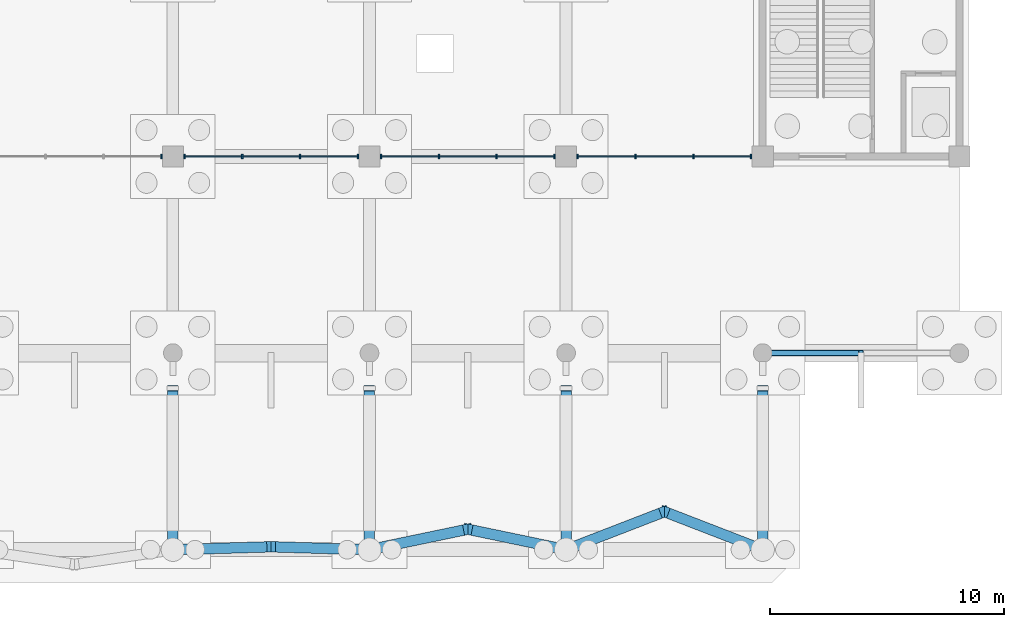
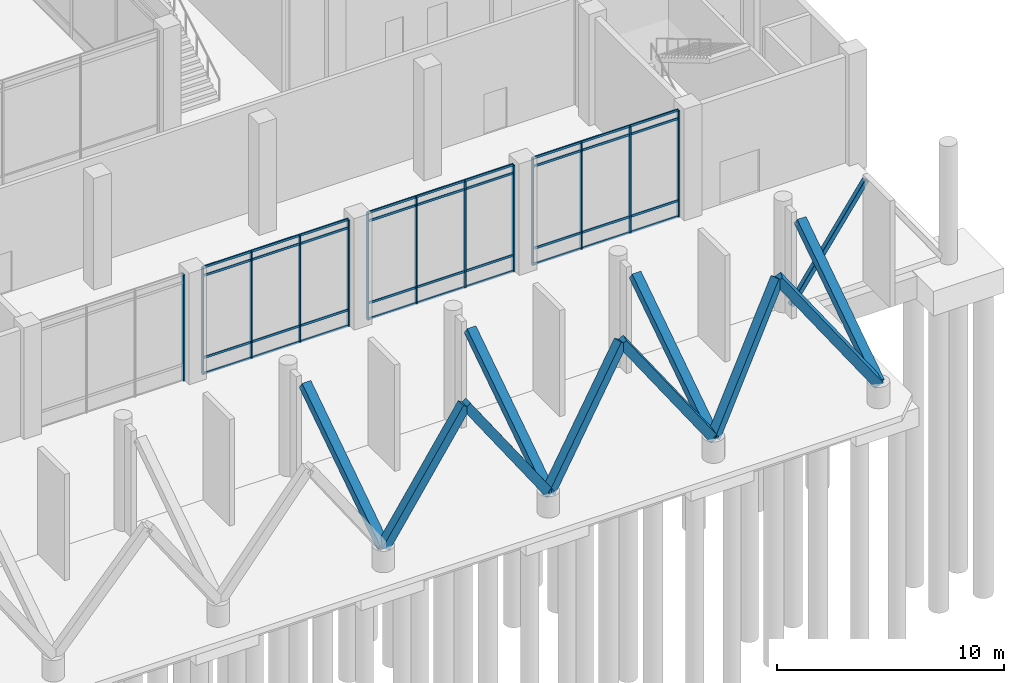
# One storey, part 29 of 72: 60 members, 4 elements without a shape of their own.
"""IFC4 building model written with IfcOpenShell, lengths in metres."""

from ifc_helpers import new_model, si_unit, direction, frame, origin, origin_2d, place, context, subcontext, project, spatial, rectangle, hollow_rectangle, extrude, material, layer, layer_set, material_profile, profile_set, type_object, element, aggregate, save


model = new_model("IFC4")

# Units and contexts
model_context = context("Model", 3, precision=1e-05, world=origin(), true_north=direction((0.0, 1.0)))
body_context = subcontext(model_context, "Body", "Model", "MODEL_VIEW")
ifc_project = project(units=[si_unit("LENGTHUNIT", "METRE"), si_unit("AREAUNIT", "SQUARE_METRE"), si_unit("VOLUMEUNIT", "CUBIC_METRE"), si_unit("PLANEANGLEUNIT", "RADIAN"), si_unit("MASSUNIT", "GRAM", prefix="KILO")], contexts=[model_context])

# Site, building, storey
site_placement = place(None, origin())
site = spatial("IfcSite", under=ifc_project, at=site_placement, CompositionType="ELEMENT")
building_placement = place(site_placement, origin())
building = spatial("IfcBuilding", under=site, at=building_placement, Name="Qawsi Khor Wholesale Market", CompositionType="ELEMENT")
storey_placement = place(building_placement, origin())
storey = spatial("IfcBuildingStorey", under=building, at=storey_placement, Name="L00", CompositionType="ELEMENT", Elevation=0.0)

# Curtain wall, member
ifc_material_1 = material(Name="Aluminium Anodised Bronze", Category="aluminium")
ifc_layer = layer(ifc_material_1, 0.159912109375, Name="Aluminium Anodised Bronze")
ifc_layer_set = layer_set([ifc_layer], Name="Aluminium Anodised Bronze")
curtain_wall_type = type_object("IfcCurtainWallType", Name="Boulevard Arcade Glazed Curtain Wall CW-01", PredefinedType="NOTDEFINED", material=ifc_layer_set)
curtain_wall_1_placement = place(storey_placement, origin())
curtain_wall_1 = element("IfcCurtainWall", 1, at=curtain_wall_1_placement, inside=storey, type_object=curtain_wall_type, Name="Curtain wall CW-CW-01-L00-007", PredefinedType="NOTDEFINED")
ifc_material_profile_1 = material_profile(ifc_material_1, rectangle(XDim=0.06494140625, YDim=0.179931640625, at=origin_2d()), Name="ALU MULLION 65x180")
ifc_profile_set_1 = profile_set([ifc_material_profile_1], Name="Aluminium Anodised Bronze")
member_type_1 = type_object("IfcMemberType", Name="Curtain Wall Mullion CW-01 ALU MULLION 65x180", PredefinedType="MULLION", material=ifc_profile_set_1)
member_1_placement = place(storey_placement, frame((159.107421875, 8.39990234375, -0.02001953125), z_axis=(0.0, 0.0, 1.0), x_axis=(1.0, 0.0, 0.0)))
member_1 = element("IfcMember", 2, at=member_1_placement, type_object=member_type_1, Name="Mullion CW-CW-01-L00-007-M03", PredefinedType="MULLION", context=body_context, shape_type="SweptSolid", body=[
    extrude(rectangle(XDim=0.06494140625, YDim=0.179931640625, at=origin_2d()), origin(), (0.0, 0.0, 1.0), 5.739990234375),
])
aggregate(curtain_wall_1, [member_1])

# Curtain wall, members
curtain_wall_2_placement = place(storey_placement, origin())
curtain_wall_2 = element("IfcCurtainWall", 3, at=curtain_wall_2_placement, inside=storey, type_object=curtain_wall_type, Name="Curtain wall CW-CW-01-L00-008", PredefinedType="NOTDEFINED")
member_2_placement = place(storey_placement, frame((160.092529296875, 8.39990234375, -0.02001953125), z_axis=(0.0, 0.0, 1.0), x_axis=(1.0, 0.0, 0.0)))
member_2 = element("IfcMember", 4, at=member_2_placement, type_object=member_type_1, Name="Mullion CW-CW-01-L00-008-M00", PredefinedType="MULLION", context=body_context, shape_type="SweptSolid", body=[
    extrude(rectangle(XDim=0.06494140625, YDim=0.179931640625, at=origin_2d()), origin(), (0.0, 0.0, 1.0), 5.739990234375),
])
member_3_placement = place(storey_placement, frame((162.564208984375, 8.39990234375, -0.02001953125), z_axis=(0.0, 0.0, 1.0), x_axis=(1.0, 0.0, 0.0)))
member_3 = element("IfcMember", 5, at=member_3_placement, type_object=member_type_1, Name="Mullion CW-CW-01-L00-008-M01", PredefinedType="MULLION", context=body_context, shape_type="SweptSolid", body=[
    extrude(rectangle(XDim=0.06494140625, YDim=0.179931640625, at=origin_2d()), origin(), (0.0, 0.0, 1.0), 5.739990234375),
])
member_4_placement = place(storey_placement, frame((165.035888671875, 8.39990234375, -0.02001953125), z_axis=(0.0, 0.0, 1.0), x_axis=(1.0, 0.0, 0.0)))
member_4 = element("IfcMember", 6, at=member_4_placement, type_object=member_type_1, Name="Mullion CW-CW-01-L00-008-M02", PredefinedType="MULLION", context=body_context, shape_type="SweptSolid", body=[
    extrude(rectangle(XDim=0.06494140625, YDim=0.179931640625, at=origin_2d()), origin(), (0.0, 0.0, 1.0), 5.739990234375),
])
member_5_placement = place(storey_placement, frame((167.507568359375, 8.39990234375, -0.02001953125), z_axis=(0.0, 0.0, 1.0), x_axis=(1.0, 0.0, 0.0)))
member_5 = element("IfcMember", 7, at=member_5_placement, type_object=member_type_1, Name="Mullion CW-CW-01-L00-008-M03", PredefinedType="MULLION", context=body_context, shape_type="SweptSolid", body=[
    extrude(rectangle(XDim=0.06494140625, YDim=0.179931640625, at=origin_2d()), origin(), (0.0, 0.0, 1.0), 5.739990234375),
])

curtain_wall_3_placement = place(storey_placement, origin())
curtain_wall_3 = element("IfcCurtainWall", 8, at=curtain_wall_3_placement, inside=storey, type_object=curtain_wall_type, Name="Curtain wall CW-CW-01-L00-009", PredefinedType="NOTDEFINED")
member_6_placement = place(storey_placement, frame((168.492431640625, 8.39990234375, -0.02001953125), z_axis=(0.0, 0.0, 1.0), x_axis=(1.0, 0.0, 0.0)))
member_6 = element("IfcMember", 9, at=member_6_placement, type_object=member_type_1, Name="Mullion CW-CW-01-L00-009-M00", PredefinedType="MULLION", context=body_context, shape_type="SweptSolid", body=[
    extrude(rectangle(XDim=0.06494140625, YDim=0.179931640625, at=origin_2d()), origin(), (0.0, 0.0, 1.0), 5.739990234375),
])
member_7_placement = place(storey_placement, frame((170.964111328125, 8.39990234375, -0.02001953125), z_axis=(0.0, 0.0, 1.0), x_axis=(1.0, 0.0, 0.0)))
member_7 = element("IfcMember", 10, at=member_7_placement, type_object=member_type_1, Name="Mullion CW-CW-01-L00-009-M01", PredefinedType="MULLION", context=body_context, shape_type="SweptSolid", body=[
    extrude(rectangle(XDim=0.06494140625, YDim=0.179931640625, at=origin_2d()), origin(), (0.0, 0.0, 1.0), 5.739990234375),
])
member_8_placement = place(storey_placement, frame((173.435791015625, 8.39990234375, -0.02001953125), z_axis=(0.0, 0.0, 1.0), x_axis=(1.0, 0.0, 0.0)))
member_8 = element("IfcMember", 11, at=member_8_placement, type_object=member_type_1, Name="Mullion CW-CW-01-L00-009-M02", PredefinedType="MULLION", context=body_context, shape_type="SweptSolid", body=[
    extrude(rectangle(XDim=0.06494140625, YDim=0.179931640625, at=origin_2d()), origin(), (0.0, 0.0, 1.0), 5.739990234375),
])
member_9_placement = place(storey_placement, frame((175.907470703125, 8.39990234375, -0.02001953125), z_axis=(0.0, 0.0, 1.0), x_axis=(1.0, 0.0, 0.0)))
member_9 = element("IfcMember", 12, at=member_9_placement, type_object=member_type_1, Name="Mullion CW-CW-01-L00-009-M03", PredefinedType="MULLION", context=body_context, shape_type="SweptSolid", body=[
    extrude(rectangle(XDim=0.06494140625, YDim=0.179931640625, at=origin_2d()), origin(), (0.0, 0.0, 1.0), 5.739990234375),
])

curtain_wall_4_placement = place(storey_placement, origin())
curtain_wall_4 = element("IfcCurtainWall", 13, at=curtain_wall_4_placement, inside=storey, type_object=curtain_wall_type, Name="Curtain wall CW-CW-01-L00-010", PredefinedType="NOTDEFINED")
member_10_placement = place(storey_placement, frame((176.892578125, 8.39990234375, -0.02001953125), z_axis=(0.0, 0.0, 1.0), x_axis=(1.0, 0.0, 0.0)))
member_10 = element("IfcMember", 14, at=member_10_placement, type_object=member_type_1, Name="Mullion CW-CW-01-L00-010-M00", PredefinedType="MULLION", context=body_context, shape_type="SweptSolid", body=[
    extrude(rectangle(XDim=0.06494140625, YDim=0.179931640625, at=origin_2d()), origin(), (0.0, 0.0, 1.0), 5.739990234375),
])
member_11_placement = place(storey_placement, frame((179.3642578125, 8.39990234375, -0.02001953125), z_axis=(0.0, 0.0, 1.0), x_axis=(1.0, 0.0, 0.0)))
member_11 = element("IfcMember", 15, at=member_11_placement, type_object=member_type_1, Name="Mullion CW-CW-01-L00-010-M01", PredefinedType="MULLION", context=body_context, shape_type="SweptSolid", body=[
    extrude(rectangle(XDim=0.06494140625, YDim=0.179931640625, at=origin_2d()), origin(), (0.0, 0.0, 1.0), 5.739990234375),
])
member_12_placement = place(storey_placement, frame((181.835693359375, 8.39990234375, -0.02001953125), z_axis=(0.0, 0.0, 1.0), x_axis=(1.0, 0.0, 0.0)))
member_12 = element("IfcMember", 16, at=member_12_placement, type_object=member_type_1, Name="Mullion CW-CW-01-L00-010-M02", PredefinedType="MULLION", context=body_context, shape_type="SweptSolid", body=[
    extrude(rectangle(XDim=0.06494140625, YDim=0.179931640625, at=origin_2d()), origin(), (0.0, 0.0, 1.0), 5.739990234375),
])
member_13_placement = place(storey_placement, frame((184.3076171875, 8.39990234375, -0.02001953125), z_axis=(0.0, 0.0, 1.0), x_axis=(1.0, 0.0, 0.0)))
member_13 = element("IfcMember", 17, at=member_13_placement, type_object=member_type_1, Name="Mullion CW-CW-01-L00-010-M03", PredefinedType="MULLION", context=body_context, shape_type="SweptSolid", body=[
    extrude(rectangle(XDim=0.06494140625, YDim=0.179931640625, at=origin_2d()), origin(), (0.0, 0.0, 1.0), 5.739990234375),
])

# Member
ifc_material_profile_2 = material_profile(ifc_material_1, rectangle(XDim=0.06005859375, YDim=0.1201171875, at=origin_2d()), Name="ALU TRANSOM 60x120")
ifc_profile_set_2 = profile_set([ifc_material_profile_2], Name="Aluminium Anodised Bronze")
member_type_2 = type_object("IfcMemberType", Name="Curtain Wall Transom CW-01 ALU TRANSOM 60x120", PredefinedType="USERDEFINED", material=ifc_profile_set_2)
member_14_placement = place(storey_placement, frame((160.092529296875, 8.39990234375, 0.0), z_axis=(1.0, 0.0, 0.0), x_axis=(0.0, 1.0, 0.0)))
member_14 = element("IfcMember", 18, at=member_14_placement, type_object=member_type_2, Name="Transom CW-CW-01-L00-008-T0_00", ObjectType="TRANSOM", PredefinedType="USERDEFINED", context=body_context, shape_type="SweptSolid", body=[
    extrude(rectangle(XDim=0.06005859375, YDim=0.1201171875, at=origin_2d()), origin(), (0.0, 0.0, 1.0), 2.4716796875),
])

member_15_placement = place(storey_placement, frame((162.564208984375, 8.39990234375, 0.0), z_axis=(1.0, 0.0, 0.0), x_axis=(0.0, 1.0, 0.0)))
member_15 = element("IfcMember", 19, at=member_15_placement, type_object=member_type_2, Name="Transom CW-CW-01-L00-008-T0_01", ObjectType="TRANSOM", PredefinedType="USERDEFINED", context=body_context, shape_type="SweptSolid", body=[
    extrude(rectangle(XDim=0.06005859375, YDim=0.1201171875, at=origin_2d()), origin(), (0.0, 0.0, 1.0), 2.4716796875),
])

member_16_placement = place(storey_placement, frame((165.035888671875, 8.39990234375, 0.0), z_axis=(1.0, 0.0, 0.0), x_axis=(0.0, 1.0, 0.0)))
member_16 = element("IfcMember", 20, at=member_16_placement, type_object=member_type_2, Name="Transom CW-CW-01-L00-008-T0_02", ObjectType="TRANSOM", PredefinedType="USERDEFINED", context=body_context, shape_type="SweptSolid", body=[
    extrude(rectangle(XDim=0.06005859375, YDim=0.1201171875, at=origin_2d()), origin(), (0.0, 0.0, 1.0), 2.4716796875),
])

member_17_placement = place(storey_placement, frame((160.092529296875, 8.39990234375, 0.85009765625), z_axis=(1.0, 0.0, 0.0), x_axis=(0.0, 1.0, 0.0)))
member_17 = element("IfcMember", 21, at=member_17_placement, type_object=member_type_2, Name="Transom CW-CW-01-L00-008-T1_00", ObjectType="TRANSOM", PredefinedType="USERDEFINED", context=body_context, shape_type="SweptSolid", body=[
    extrude(rectangle(XDim=0.06005859375, YDim=0.1201171875, at=origin_2d()), origin(), (0.0, 0.0, 1.0), 2.4716796875),
])

member_18_placement = place(storey_placement, frame((162.564208984375, 8.39990234375, 0.85009765625), z_axis=(1.0, 0.0, 0.0), x_axis=(0.0, 1.0, 0.0)))
member_18 = element("IfcMember", 22, at=member_18_placement, type_object=member_type_2, Name="Transom CW-CW-01-L00-008-T1_01", ObjectType="TRANSOM", PredefinedType="USERDEFINED", context=body_context, shape_type="SweptSolid", body=[
    extrude(rectangle(XDim=0.06005859375, YDim=0.1201171875, at=origin_2d()), origin(), (0.0, 0.0, 1.0), 2.4716796875),
])

member_19_placement = place(storey_placement, frame((165.035888671875, 8.39990234375, 0.85009765625), z_axis=(1.0, 0.0, 0.0), x_axis=(0.0, 1.0, 0.0)))
member_19 = element("IfcMember", 23, at=member_19_placement, type_object=member_type_2, Name="Transom CW-CW-01-L00-008-T1_02", ObjectType="TRANSOM", PredefinedType="USERDEFINED", context=body_context, shape_type="SweptSolid", body=[
    extrude(rectangle(XDim=0.06005859375, YDim=0.1201171875, at=origin_2d()), origin(), (0.0, 0.0, 1.0), 2.4716796875),
])

member_20_placement = place(storey_placement, frame((160.092529296875, 8.39990234375, 5.27001953125), z_axis=(1.0, 0.0, 0.0), x_axis=(0.0, 1.0, 0.0)))
member_20 = element("IfcMember", 24, at=member_20_placement, type_object=member_type_2, Name="Transom CW-CW-01-L00-008-T2_00", ObjectType="TRANSOM", PredefinedType="USERDEFINED", context=body_context, shape_type="SweptSolid", body=[
    extrude(rectangle(XDim=0.06005859375, YDim=0.1201171875, at=origin_2d()), origin(), (0.0, 0.0, 1.0), 2.4716796875),
])

member_21_placement = place(storey_placement, frame((162.564208984375, 8.39990234375, 5.27001953125), z_axis=(1.0, 0.0, 0.0), x_axis=(0.0, 1.0, 0.0)))
member_21 = element("IfcMember", 25, at=member_21_placement, type_object=member_type_2, Name="Transom CW-CW-01-L00-008-T2_01", ObjectType="TRANSOM", PredefinedType="USERDEFINED", context=body_context, shape_type="SweptSolid", body=[
    extrude(rectangle(XDim=0.06005859375, YDim=0.1201171875, at=origin_2d()), origin(), (0.0, 0.0, 1.0), 2.4716796875),
])

member_22_placement = place(storey_placement, frame((165.035888671875, 8.39990234375, 5.27001953125), z_axis=(1.0, 0.0, 0.0), x_axis=(0.0, 1.0, 0.0)))
member_22 = element("IfcMember", 26, at=member_22_placement, type_object=member_type_2, Name="Transom CW-CW-01-L00-008-T2_02", ObjectType="TRANSOM", PredefinedType="USERDEFINED", context=body_context, shape_type="SweptSolid", body=[
    extrude(rectangle(XDim=0.06005859375, YDim=0.1201171875, at=origin_2d()), origin(), (0.0, 0.0, 1.0), 2.4716796875),
])

member_23_placement = place(storey_placement, frame((160.092529296875, 8.39990234375, 5.719970703125), z_axis=(1.0, 0.0, 0.0), x_axis=(0.0, 1.0, 0.0)))
member_23 = element("IfcMember", 27, at=member_23_placement, type_object=member_type_2, Name="Transom CW-CW-01-L00-008-T3_00", ObjectType="TRANSOM", PredefinedType="USERDEFINED", context=body_context, shape_type="SweptSolid", body=[
    extrude(rectangle(XDim=0.06005859375, YDim=0.1201171875, at=origin_2d()), origin(), (0.0, 0.0, 1.0), 2.4716796875),
])

member_24_placement = place(storey_placement, frame((162.564208984375, 8.39990234375, 5.719970703125), z_axis=(1.0, 0.0, 0.0), x_axis=(0.0, 1.0, 0.0)))
member_24 = element("IfcMember", 28, at=member_24_placement, type_object=member_type_2, Name="Transom CW-CW-01-L00-008-T3_01", ObjectType="TRANSOM", PredefinedType="USERDEFINED", context=body_context, shape_type="SweptSolid", body=[
    extrude(rectangle(XDim=0.06005859375, YDim=0.1201171875, at=origin_2d()), origin(), (0.0, 0.0, 1.0), 2.4716796875),
])

member_25_placement = place(storey_placement, frame((165.035888671875, 8.39990234375, 5.719970703125), z_axis=(1.0, 0.0, 0.0), x_axis=(0.0, 1.0, 0.0)))
member_25 = element("IfcMember", 29, at=member_25_placement, type_object=member_type_2, Name="Transom CW-CW-01-L00-008-T3_02", ObjectType="TRANSOM", PredefinedType="USERDEFINED", context=body_context, shape_type="SweptSolid", body=[
    extrude(rectangle(XDim=0.06005859375, YDim=0.1201171875, at=origin_2d()), origin(), (0.0, 0.0, 1.0), 2.4716796875),
])

aggregate(curtain_wall_2, [member_2, member_3, member_4, member_5, member_14, member_15, member_16, member_17, member_18, member_19, member_20, member_21, member_22, member_23, member_24, member_25])

member_26_placement = place(storey_placement, frame((168.492431640625, 8.39990234375, 0.0), z_axis=(1.0, 0.0, 0.0), x_axis=(0.0, 1.0, 0.0)))
member_26 = element("IfcMember", 30, at=member_26_placement, type_object=member_type_2, Name="Transom CW-CW-01-L00-009-T0_00", ObjectType="TRANSOM", PredefinedType="USERDEFINED", context=body_context, shape_type="SweptSolid", body=[
    extrude(rectangle(XDim=0.06005859375, YDim=0.1201171875, at=origin_2d()), origin(), (0.0, 0.0, 1.0), 2.4716796875),
])

member_27_placement = place(storey_placement, frame((170.964111328125, 8.39990234375, 0.0), z_axis=(1.0, 0.0, 0.0), x_axis=(0.0, 1.0, 0.0)))
member_27 = element("IfcMember", 31, at=member_27_placement, type_object=member_type_2, Name="Transom CW-CW-01-L00-009-T0_01", ObjectType="TRANSOM", PredefinedType="USERDEFINED", context=body_context, shape_type="SweptSolid", body=[
    extrude(rectangle(XDim=0.06005859375, YDim=0.1201171875, at=origin_2d()), origin(), (0.0, 0.0, 1.0), 2.4716796875),
])

member_28_placement = place(storey_placement, frame((173.435791015625, 8.39990234375, 0.0), z_axis=(1.0, 0.0, 0.0), x_axis=(0.0, 1.0, 0.0)))
member_28 = element("IfcMember", 32, at=member_28_placement, type_object=member_type_2, Name="Transom CW-CW-01-L00-009-T0_02", ObjectType="TRANSOM", PredefinedType="USERDEFINED", context=body_context, shape_type="SweptSolid", body=[
    extrude(rectangle(XDim=0.06005859375, YDim=0.1201171875, at=origin_2d()), origin(), (0.0, 0.0, 1.0), 2.4716796875),
])

member_29_placement = place(storey_placement, frame((168.492431640625, 8.39990234375, 0.85009765625), z_axis=(1.0, 0.0, 0.0), x_axis=(0.0, 1.0, 0.0)))
member_29 = element("IfcMember", 33, at=member_29_placement, type_object=member_type_2, Name="Transom CW-CW-01-L00-009-T1_00", ObjectType="TRANSOM", PredefinedType="USERDEFINED", context=body_context, shape_type="SweptSolid", body=[
    extrude(rectangle(XDim=0.06005859375, YDim=0.1201171875, at=origin_2d()), origin(), (0.0, 0.0, 1.0), 2.4716796875),
])

member_30_placement = place(storey_placement, frame((170.964111328125, 8.39990234375, 0.85009765625), z_axis=(1.0, 0.0, 0.0), x_axis=(0.0, 1.0, 0.0)))
member_30 = element("IfcMember", 34, at=member_30_placement, type_object=member_type_2, Name="Transom CW-CW-01-L00-009-T1_01", ObjectType="TRANSOM", PredefinedType="USERDEFINED", context=body_context, shape_type="SweptSolid", body=[
    extrude(rectangle(XDim=0.06005859375, YDim=0.1201171875, at=origin_2d()), origin(), (0.0, 0.0, 1.0), 2.4716796875),
])

member_31_placement = place(storey_placement, frame((173.435791015625, 8.39990234375, 0.85009765625), z_axis=(1.0, 0.0, 0.0), x_axis=(0.0, 1.0, 0.0)))
member_31 = element("IfcMember", 35, at=member_31_placement, type_object=member_type_2, Name="Transom CW-CW-01-L00-009-T1_02", ObjectType="TRANSOM", PredefinedType="USERDEFINED", context=body_context, shape_type="SweptSolid", body=[
    extrude(rectangle(XDim=0.06005859375, YDim=0.1201171875, at=origin_2d()), origin(), (0.0, 0.0, 1.0), 2.4716796875),
])

member_32_placement = place(storey_placement, frame((168.492431640625, 8.39990234375, 5.27001953125), z_axis=(1.0, 0.0, 0.0), x_axis=(0.0, 1.0, 0.0)))
member_32 = element("IfcMember", 36, at=member_32_placement, type_object=member_type_2, Name="Transom CW-CW-01-L00-009-T2_00", ObjectType="TRANSOM", PredefinedType="USERDEFINED", context=body_context, shape_type="SweptSolid", body=[
    extrude(rectangle(XDim=0.06005859375, YDim=0.1201171875, at=origin_2d()), origin(), (0.0, 0.0, 1.0), 2.4716796875),
])

member_33_placement = place(storey_placement, frame((170.964111328125, 8.39990234375, 5.27001953125), z_axis=(1.0, 0.0, 0.0), x_axis=(0.0, 1.0, 0.0)))
member_33 = element("IfcMember", 37, at=member_33_placement, type_object=member_type_2, Name="Transom CW-CW-01-L00-009-T2_01", ObjectType="TRANSOM", PredefinedType="USERDEFINED", context=body_context, shape_type="SweptSolid", body=[
    extrude(rectangle(XDim=0.06005859375, YDim=0.1201171875, at=origin_2d()), origin(), (0.0, 0.0, 1.0), 2.4716796875),
])

member_34_placement = place(storey_placement, frame((173.435791015625, 8.39990234375, 5.27001953125), z_axis=(1.0, 0.0, 0.0), x_axis=(0.0, 1.0, 0.0)))
member_34 = element("IfcMember", 38, at=member_34_placement, type_object=member_type_2, Name="Transom CW-CW-01-L00-009-T2_02", ObjectType="TRANSOM", PredefinedType="USERDEFINED", context=body_context, shape_type="SweptSolid", body=[
    extrude(rectangle(XDim=0.06005859375, YDim=0.1201171875, at=origin_2d()), origin(), (0.0, 0.0, 1.0), 2.4716796875),
])

member_35_placement = place(storey_placement, frame((168.492431640625, 8.39990234375, 5.719970703125), z_axis=(1.0, 0.0, 0.0), x_axis=(0.0, 1.0, 0.0)))
member_35 = element("IfcMember", 39, at=member_35_placement, type_object=member_type_2, Name="Transom CW-CW-01-L00-009-T3_00", ObjectType="TRANSOM", PredefinedType="USERDEFINED", context=body_context, shape_type="SweptSolid", body=[
    extrude(rectangle(XDim=0.06005859375, YDim=0.1201171875, at=origin_2d()), origin(), (0.0, 0.0, 1.0), 2.4716796875),
])

member_36_placement = place(storey_placement, frame((170.964111328125, 8.39990234375, 5.719970703125), z_axis=(1.0, 0.0, 0.0), x_axis=(0.0, 1.0, 0.0)))
member_36 = element("IfcMember", 40, at=member_36_placement, type_object=member_type_2, Name="Transom CW-CW-01-L00-009-T3_01", ObjectType="TRANSOM", PredefinedType="USERDEFINED", context=body_context, shape_type="SweptSolid", body=[
    extrude(rectangle(XDim=0.06005859375, YDim=0.1201171875, at=origin_2d()), origin(), (0.0, 0.0, 1.0), 2.4716796875),
])

member_37_placement = place(storey_placement, frame((173.435791015625, 8.39990234375, 5.719970703125), z_axis=(1.0, 0.0, 0.0), x_axis=(0.0, 1.0, 0.0)))
member_37 = element("IfcMember", 41, at=member_37_placement, type_object=member_type_2, Name="Transom CW-CW-01-L00-009-T3_02", ObjectType="TRANSOM", PredefinedType="USERDEFINED", context=body_context, shape_type="SweptSolid", body=[
    extrude(rectangle(XDim=0.06005859375, YDim=0.1201171875, at=origin_2d()), origin(), (0.0, 0.0, 1.0), 2.4716796875),
])

aggregate(curtain_wall_3, [member_6, member_7, member_8, member_9, member_26, member_27, member_28, member_29, member_30, member_31, member_32, member_33, member_34, member_35, member_36, member_37])

member_38_placement = place(storey_placement, frame((176.892578125, 8.39990234375, 0.0), z_axis=(1.0, 0.0, 0.0), x_axis=(0.0, 1.0, 0.0)))
member_38 = element("IfcMember", 42, at=member_38_placement, type_object=member_type_2, Name="Transom CW-CW-01-L00-010-T0_00", ObjectType="TRANSOM", PredefinedType="USERDEFINED", context=body_context, shape_type="SweptSolid", body=[
    extrude(rectangle(XDim=0.06005859375, YDim=0.1201171875, at=origin_2d()), origin(), (0.0, 0.0, 1.0), 2.4716796875),
])

member_39_placement = place(storey_placement, frame((179.3642578125, 8.39990234375, 0.0), z_axis=(1.0, 0.0, 0.0), x_axis=(0.0, 1.0, 0.0)))
member_39 = element("IfcMember", 43, at=member_39_placement, type_object=member_type_2, Name="Transom CW-CW-01-L00-010-T0_01", ObjectType="TRANSOM", PredefinedType="USERDEFINED", context=body_context, shape_type="SweptSolid", body=[
    extrude(rectangle(XDim=0.06005859375, YDim=0.1201171875, at=origin_2d()), origin(), (0.0, 0.0, 1.0), 2.471435546875),
])

member_40_placement = place(storey_placement, frame((181.835693359375, 8.39990234375, 0.0), z_axis=(1.0, 0.0, 0.0), x_axis=(0.0, 1.0, 0.0)))
member_40 = element("IfcMember", 44, at=member_40_placement, type_object=member_type_2, Name="Transom CW-CW-01-L00-010-T0_02", ObjectType="TRANSOM", PredefinedType="USERDEFINED", context=body_context, shape_type="SweptSolid", body=[
    extrude(rectangle(XDim=0.06005859375, YDim=0.1201171875, at=origin_2d()), origin(), (0.0, 0.0, 1.0), 2.471923828125),
])

member_41_placement = place(storey_placement, frame((176.892578125, 8.39990234375, 0.85009765625), z_axis=(1.0, 0.0, 0.0), x_axis=(0.0, 1.0, 0.0)))
member_41 = element("IfcMember", 45, at=member_41_placement, type_object=member_type_2, Name="Transom CW-CW-01-L00-010-T1_00", ObjectType="TRANSOM", PredefinedType="USERDEFINED", context=body_context, shape_type="SweptSolid", body=[
    extrude(rectangle(XDim=0.06005859375, YDim=0.1201171875, at=origin_2d()), origin(), (0.0, 0.0, 1.0), 2.4716796875),
])

member_42_placement = place(storey_placement, frame((179.3642578125, 8.39990234375, 0.85009765625), z_axis=(1.0, 0.0, 0.0), x_axis=(0.0, 1.0, 0.0)))
member_42 = element("IfcMember", 46, at=member_42_placement, type_object=member_type_2, Name="Transom CW-CW-01-L00-010-T1_01", ObjectType="TRANSOM", PredefinedType="USERDEFINED", context=body_context, shape_type="SweptSolid", body=[
    extrude(rectangle(XDim=0.06005859375, YDim=0.1201171875, at=origin_2d()), origin(), (0.0, 0.0, 1.0), 2.471435546875),
])

member_43_placement = place(storey_placement, frame((181.835693359375, 8.39990234375, 0.85009765625), z_axis=(1.0, 0.0, 0.0), x_axis=(0.0, 1.0, 0.0)))
member_43 = element("IfcMember", 47, at=member_43_placement, type_object=member_type_2, Name="Transom CW-CW-01-L00-010-T1_02", ObjectType="TRANSOM", PredefinedType="USERDEFINED", context=body_context, shape_type="SweptSolid", body=[
    extrude(rectangle(XDim=0.06005859375, YDim=0.1201171875, at=origin_2d()), origin(), (0.0, 0.0, 1.0), 2.471923828125),
])

member_44_placement = place(storey_placement, frame((176.892578125, 8.39990234375, 5.27001953125), z_axis=(1.0, 0.0, 0.0), x_axis=(0.0, 1.0, 0.0)))
member_44 = element("IfcMember", 48, at=member_44_placement, type_object=member_type_2, Name="Transom CW-CW-01-L00-010-T2_00", ObjectType="TRANSOM", PredefinedType="USERDEFINED", context=body_context, shape_type="SweptSolid", body=[
    extrude(rectangle(XDim=0.06005859375, YDim=0.1201171875, at=origin_2d()), origin(), (0.0, 0.0, 1.0), 2.4716796875),
])

member_45_placement = place(storey_placement, frame((179.3642578125, 8.39990234375, 5.27001953125), z_axis=(1.0, 0.0, 0.0), x_axis=(0.0, 1.0, 0.0)))
member_45 = element("IfcMember", 49, at=member_45_placement, type_object=member_type_2, Name="Transom CW-CW-01-L00-010-T2_01", ObjectType="TRANSOM", PredefinedType="USERDEFINED", context=body_context, shape_type="SweptSolid", body=[
    extrude(rectangle(XDim=0.06005859375, YDim=0.1201171875, at=origin_2d()), origin(), (0.0, 0.0, 1.0), 2.471435546875),
])

member_46_placement = place(storey_placement, frame((181.835693359375, 8.39990234375, 5.27001953125), z_axis=(1.0, 0.0, 0.0), x_axis=(0.0, 1.0, 0.0)))
member_46 = element("IfcMember", 50, at=member_46_placement, type_object=member_type_2, Name="Transom CW-CW-01-L00-010-T2_02", ObjectType="TRANSOM", PredefinedType="USERDEFINED", context=body_context, shape_type="SweptSolid", body=[
    extrude(rectangle(XDim=0.06005859375, YDim=0.1201171875, at=origin_2d()), origin(), (0.0, 0.0, 1.0), 2.471923828125),
])

member_47_placement = place(storey_placement, frame((176.892578125, 8.39990234375, 5.719970703125), z_axis=(1.0, 0.0, 0.0), x_axis=(0.0, 1.0, 0.0)))
member_47 = element("IfcMember", 51, at=member_47_placement, type_object=member_type_2, Name="Transom CW-CW-01-L00-010-T3_00", ObjectType="TRANSOM", PredefinedType="USERDEFINED", context=body_context, shape_type="SweptSolid", body=[
    extrude(rectangle(XDim=0.06005859375, YDim=0.1201171875, at=origin_2d()), origin(), (0.0, 0.0, 1.0), 2.4716796875),
])

member_48_placement = place(storey_placement, frame((179.3642578125, 8.39990234375, 5.719970703125), z_axis=(1.0, 0.0, 0.0), x_axis=(0.0, 1.0, 0.0)))
member_48 = element("IfcMember", 52, at=member_48_placement, type_object=member_type_2, Name="Transom CW-CW-01-L00-010-T3_01", ObjectType="TRANSOM", PredefinedType="USERDEFINED", context=body_context, shape_type="SweptSolid", body=[
    extrude(rectangle(XDim=0.06005859375, YDim=0.1201171875, at=origin_2d()), origin(), (0.0, 0.0, 1.0), 2.471435546875),
])

member_49_placement = place(storey_placement, frame((181.835693359375, 8.39990234375, 5.719970703125), z_axis=(1.0, 0.0, 0.0), x_axis=(0.0, 1.0, 0.0)))
member_49 = element("IfcMember", 53, at=member_49_placement, type_object=member_type_2, Name="Transom CW-CW-01-L00-010-T3_02", ObjectType="TRANSOM", PredefinedType="USERDEFINED", context=body_context, shape_type="SweptSolid", body=[
    extrude(rectangle(XDim=0.06005859375, YDim=0.1201171875, at=origin_2d()), origin(), (0.0, 0.0, 1.0), 2.471923828125),
])

aggregate(curtain_wall_4, [member_10, member_11, member_12, member_13, member_38, member_39, member_40, member_41, member_42, member_43, member_44, member_45, member_46, member_47, member_48, member_49])

# Members
ifc_material_2 = material(Name="Steel S355", Category="steel")
ifc_material_profile_3 = material_profile(ifc_material_2, hollow_rectangle(XDim=0.25, YDim=0.25, WallThickness=0.012451171875, InnerFilletRadius=0.012451171875, OuterFilletRadius=0.02490234375, at=origin_2d()), Name="SHS 250x250x12.5")
ifc_profile_set_3 = profile_set([ifc_material_profile_3], Name="Steel S355")
member_type_3 = type_object("IfcMemberType", Name="Lateral Portal Brace SHS 250x250x12.5", PredefinedType="BRACE", material=ifc_profile_set_3)
member_50_placement = place(storey_placement, frame((185.199951171875, 0.0, 0.0), z_axis=(0.574081019933, 0.0, 0.818798499359), x_axis=(0.0, 1.0, 0.0)))
element("IfcMember", 54, at=member_50_placement, inside=storey, type_object=member_type_3, Name="Portal K-brace 2A", PredefinedType="BRACE", context=body_context, shape_type="SweptSolid", body=[
    extrude(hollow_rectangle(XDim=0.25, YDim=0.25, WallThickness=0.012451171875, InnerFilletRadius=0.012451171875, OuterFilletRadius=0.02490234375, at=origin_2d()), origin(), (0.0, 0.0, 1.0), 6.619384765625),
])
ifc_material_3 = material(Name="Concrete C40/50", Category="concrete")
ifc_material_profile_4 = material_profile(ifc_material_3, rectangle(XDim=0.449951171875, YDim=0.449951171875, at=origin_2d()), Name="RC 450x450")
ifc_profile_set_4 = profile_set([ifc_material_profile_4], Name="Concrete C40/50")
member_type_4 = type_object("IfcMemberType", Name="Sculpted Concrete V-Strut RC 450x450", PredefinedType="STRUT", material=ifc_profile_set_4)
for number, where, z_axis, x_axis, name in (
    (55, (159.60009765625, -8.39990234375, 1.050048828125), (0.565137405579, 0.016819761184, 0.824825319961), (-0.029749077945, 0.999557398233, 0.0), "Boulevard Raked Concrete V-Pier 19L"),
    (56, (168.0, -8.39990234375, 1.050048828125), (-0.565137405579, 0.016819761184, 0.824825319961), (-0.029749077945, -0.999557398233, 0.0), "Boulevard Raked Concrete V-Pier 19R"),
):
    element("IfcMember", number, at=place(storey_placement, frame(where, z_axis=z_axis, x_axis=x_axis)), inside=storey, type_object=member_type_4, Name=name, PredefinedType="STRUT", context=body_context, shape_type="SweptSolid", body=[
        extrude(rectangle(XDim=0.449951171875, YDim=0.449951171875, at=origin_2d()), origin(), (0.0, 0.0, 1.0), 7.431640625),
    ])
member_51_placement = place(storey_placement, frame((159.60009765625, -8.39990234375, 1.050048828125), z_axis=(0.0, 0.833712125107, 0.552199323115), x_axis=(-1.0, 0.0, 0.0)))
element("IfcMember", 57, at=member_51_placement, inside=storey, type_object=member_type_4, Name="Boulevard Raked Concrete Back-Strut 19", PredefinedType="STRUT", context=body_context, shape_type="SweptSolid", body=[
    extrude(rectangle(XDim=0.449951171875, YDim=0.449951171875, at=origin_2d()), origin(), (0.0, 0.0, 1.0), 8.276123046875),
])
for number, where, z_axis, x_axis, name in (
    (58, (168.0, -8.39990234375, 1.050048828125), (0.561338931721, 0.116946970371, 0.819281398456), (-0.203956526624, 0.978979946295, 0.0), "Boulevard Raked Concrete V-Pier 20L"),
    (59, (176.39990234375, -8.39990234375, 1.050048828125), (-0.561338931721, 0.116946970371, 0.819281398456), (-0.203956526624, -0.978979946295, 0.0), "Boulevard Raked Concrete V-Pier 20R"),
):
    element("IfcMember", number, at=place(storey_placement, frame(where, z_axis=z_axis, x_axis=x_axis)), inside=storey, type_object=member_type_4, Name=name, PredefinedType="STRUT", context=body_context, shape_type="SweptSolid", body=[
        extrude(rectangle(XDim=0.449951171875, YDim=0.449951171875, at=origin_2d()), origin(), (0.0, 0.0, 1.0), 7.48193359375),
    ])
member_52_placement = place(storey_placement, frame((168.0, -8.39990234375, 1.050048828125), z_axis=(0.0, 0.833712125107, 0.552199323115), x_axis=(-1.0, 0.0, 0.0)))
element("IfcMember", 60, at=member_52_placement, inside=storey, type_object=member_type_4, Name="Boulevard Raked Concrete Back-Strut 20", PredefinedType="STRUT", context=body_context, shape_type="SweptSolid", body=[
    extrude(rectangle(XDim=0.449951171875, YDim=0.449951171875, at=origin_2d()), origin(), (0.0, 0.0, 1.0), 8.276123046875),
])
member_53_placement = place(storey_placement, frame((176.39990234375, -8.39990234375, 1.050048828125), z_axis=(0.552190326977, 0.213635132315, 0.805882046601), x_axis=(-0.360823763355, 0.932634018143, 0.0)))
element("IfcMember", 61, at=member_53_placement, inside=storey, type_object=member_type_4, Name="Boulevard Raked Concrete V-Pier 21L", PredefinedType="STRUT", context=body_context, shape_type="SweptSolid", body=[
    extrude(rectangle(XDim=0.449951171875, YDim=0.449951171875, at=origin_2d()), origin(), (0.0, 0.0, 1.0), 7.6064453125),
])
member_54_placement = place(storey_placement, frame((184.800048828125, -8.39990234375, 1.050048828125), z_axis=(-0.552168016474, 0.213638918657, 0.805896329572), x_axis=(-0.36084200687, -0.932626959764, 0.0)))
element("IfcMember", 62, at=member_54_placement, inside=storey, type_object=member_type_4, Name="Boulevard Raked Concrete V-Pier 21R", PredefinedType="STRUT", context=body_context, shape_type="SweptSolid", body=[
    extrude(rectangle(XDim=0.449951171875, YDim=0.449951171875, at=origin_2d()), origin(), (0.0, 0.0, 1.0), 7.606201171875),
])
for number, where, z_axis, x_axis, name in (
    (63, (176.39990234375, -8.39990234375, 1.050048828125), (0.0, 0.833712125107, 0.552199323115), (-1.0, 0.0, 0.0), "Boulevard Raked Concrete Back-Strut 21"),
    (64, (184.800048828125, -8.39990234375, 1.050048828125), (0.0, 0.833712125107, 0.552199323115), (-1.0, 0.0, 0.0), "Boulevard Raked Concrete Back-Strut 22"),
):
    element("IfcMember", number, at=place(storey_placement, frame(where, z_axis=z_axis, x_axis=x_axis)), inside=storey, type_object=member_type_4, Name=name, PredefinedType="STRUT", context=body_context, shape_type="SweptSolid", body=[
        extrude(rectangle(XDim=0.449951171875, YDim=0.449951171875, at=origin_2d()), origin(), (0.0, 0.0, 1.0), 8.276123046875),
    ])

save(model, "model.ifc")
